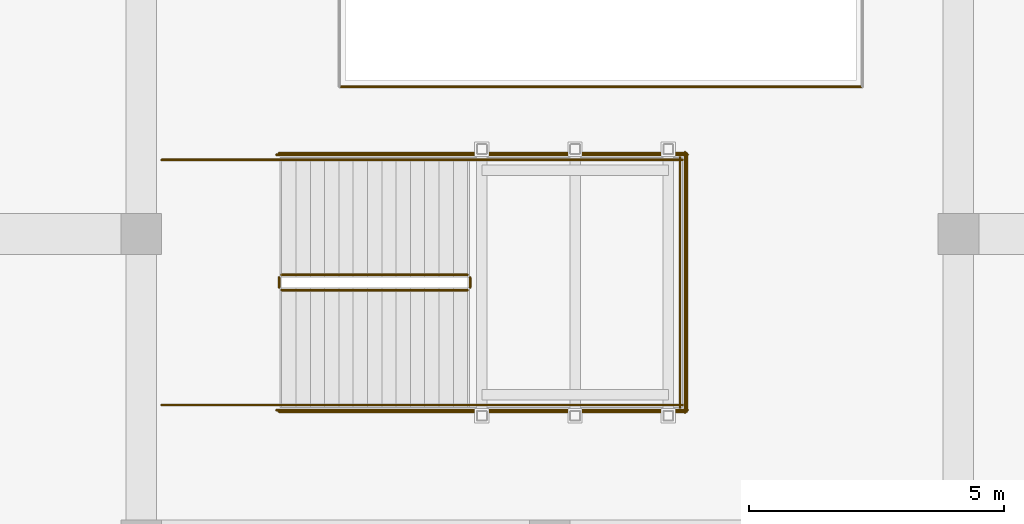
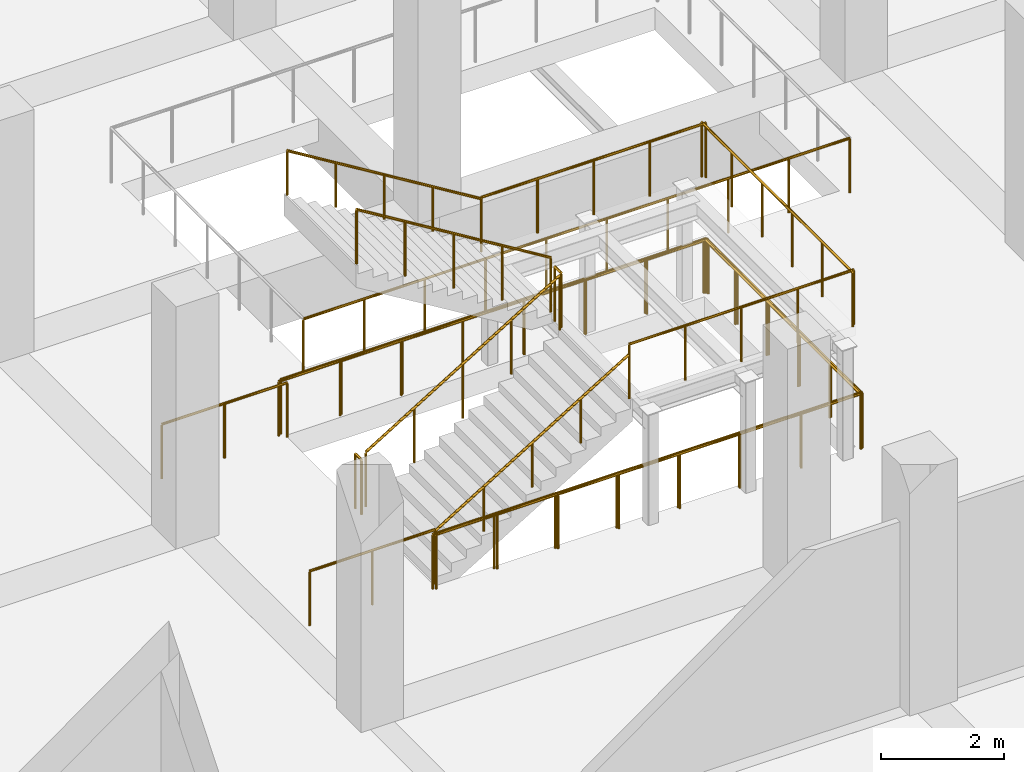
# One storey, part 29 of 36: 18 railings.
"""IFC4 building model written with IfcOpenShell, lengths in metres."""

from ifc_helpers import new_model, si_unit, direction, frame, origin, origin_2d, place, context, subcontext, project, spatial, circle, extrude, material, type_object, element, save


model = new_model("IFC4")

# Units and contexts
model_context = context("Model", 3, precision=1e-05, world=origin(), true_north=direction((0.0, 1.0)))
body_context = subcontext(model_context, "Body", "Model", "MODEL_VIEW")
ifc_project = project(units=[si_unit("LENGTHUNIT", "METRE"), si_unit("AREAUNIT", "SQUARE_METRE"), si_unit("VOLUMEUNIT", "CUBIC_METRE"), si_unit("PLANEANGLEUNIT", "RADIAN"), si_unit("MASSUNIT", "GRAM", prefix="KILO")], contexts=[model_context])

# Site, building, storey
site_placement = place(None, origin())
site = spatial("IfcSite", under=ifc_project, at=site_placement, CompositionType="ELEMENT")
building_placement = place(site_placement, origin())
building = spatial("IfcBuilding", under=site, at=building_placement, Name="Verrall Gate Interchange", CompositionType="ELEMENT")
storey_placement = place(building_placement, frame((0.0, 0.0, -4.800048828125)))
storey = spatial("IfcBuildingStorey", under=building, at=storey_placement, Name="B1", CompositionType="ELEMENT", Elevation=-4.800048828125)

# Railings
ifc_material_1 = material(Name="Brushed Stainless-Steel Guardrail and Handrail System", Category="steel")
railing_type_1 = type_object("IfcRailingType", Name="GR-02 Interior Atrium and Stair Guardrail 1100", PredefinedType="GUARDRAIL", material=ifc_material_1)
railing_1_placement = place(storey_placement, frame((54.75, 20.89990234375, 0.17138671875)))
element("IfcRailing", 1, at=railing_1_placement, inside=storey, type_object=railing_type_1, Name="B1 ST-10 stair guard 1", PredefinedType="GUARDRAIL", context=body_context, shape_type="SweptSolid", body=[
    extrude(circle(Radius=0.02392578125, at=origin_2d()), frame((0.0, 0.0, 1.076171875), z_axis=(0.852824790078, 0.0, 0.522197163366), x_axis=(0.0, 1.0, 0.0)), (0.0, 0.0, 1.0), 4.26806640625),
    extrude(circle(Radius=0.02099609375, at=origin_2d()), origin(), (0.0, 0.0, 1.0), 1.052001953125),
    extrude(circle(Radius=0.02099609375, at=origin_2d()), frame((0.909912109375, 0.0, 0.55712890625)), (0.0, 0.0, 1.0), 1.052001953125),
    extrude(circle(Radius=0.02099609375, at=origin_2d()), frame((1.81982421875, 0.0, 1.1142578125)), (0.0, 0.0, 1.0), 1.052001953125),
    extrude(circle(Radius=0.02099609375, at=origin_2d()), frame((2.72998046875, 0.0, 1.671630859375)), (0.0, 0.0, 1.0), 1.052001953125),
    extrude(circle(Radius=0.02099609375, at=origin_2d()), frame((3.639892578125, 0.0, 2.228759765625)), (0.0, 0.0, 1.0), 1.052001953125),
])
railing_2_placement = place(storey_placement, frame((58.43994140625, 20.949951171875, 2.400146484375)))
element("IfcRailing", 2, at=railing_2_placement, inside=storey, type_object=railing_type_1, Name="B1 ST-10 stair guard 2", PredefinedType="GUARDRAIL", context=body_context, shape_type="SweptSolid", body=[
    extrude(circle(Radius=0.02392578125, at=origin_2d()), frame((0.0, 0.0, 1.076171875), z_axis=(0.0, 1.0, 0.0), x_axis=(-1.0, 0.0, 0.0)), (0.0, 0.0, 1.0), 0.199951171875),
    extrude(circle(Radius=0.02099609375, at=origin_2d()), origin(), (0.0, 0.0, 1.0), 1.052001953125),
    extrude(circle(Radius=0.02099609375, at=origin_2d()), frame((0.0, 0.199951171875, 0.0)), (0.0, 0.0, 1.0), 1.052001953125),
])
for number, where, name in (
    (3, (58.389892578125, 18.64990234375, 2.400146484375), "B1 ST-10 stair guard 3"),
    (4, (58.389892578125, 23.449951171875, 2.400146484375), "B1 ST-10 stair guard 4"),
):
    element("IfcRailing", number, at=place(storey_placement, frame(where)), inside=storey, type_object=railing_type_1, Name=name, PredefinedType="GUARDRAIL", context=body_context, shape_type="SweptSolid", body=[
        extrude(circle(Radius=0.02392578125, at=origin_2d()), frame((0.0, 0.0, 1.076171875), z_axis=(1.0, 0.0, 0.0), x_axis=(0.0, 1.0, 0.0)), (0.0, 0.0, 1.0), 4.210205078125),
        extrude(circle(Radius=0.02099609375, at=origin_2d()), origin(), (0.0, 0.0, 1.0), 1.052001953125),
        extrude(circle(Radius=0.02099609375, at=origin_2d()), frame((1.052490234375, 0.0, 0.0)), (0.0, 0.0, 1.0), 1.052001953125),
        extrude(circle(Radius=0.02099609375, at=origin_2d()), frame((2.10498046875, 0.0, 0.0)), (0.0, 0.0, 1.0), 1.052001953125),
        extrude(circle(Radius=0.02099609375, at=origin_2d()), frame((3.15771484375, 0.0, 0.0)), (0.0, 0.0, 1.0), 1.052001953125),
        extrude(circle(Radius=0.02099609375, at=origin_2d()), frame((4.210205078125, 0.0, 0.0)), (0.0, 0.0, 1.0), 1.052001953125),
    ])
railing_3_placement = place(storey_placement, frame((62.550048828125, 18.60009765625, 2.400146484375)))
element("IfcRailing", 5, at=railing_3_placement, inside=storey, type_object=railing_type_1, Name="B1 ST-10 stair guard 5", PredefinedType="GUARDRAIL", context=body_context, shape_type="SweptSolid", body=[
    extrude(circle(Radius=0.02392578125, at=origin_2d()), frame((0.0, 0.0, 1.076171875), z_axis=(0.0, 1.0, 0.0), x_axis=(-1.0, 0.0, 0.0)), (0.0, 0.0, 1.0), 4.89990234375),
    extrude(circle(Radius=0.02099609375, at=origin_2d()), origin(), (0.0, 0.0, 1.0), 1.052001953125),
    extrude(circle(Radius=0.02099609375, at=origin_2d()), frame((0.0, 0.97998046875, 0.0)), (0.0, 0.0, 1.0), 1.052001953125),
    extrude(circle(Radius=0.02099609375, at=origin_2d()), frame((0.0, 1.9599609375, 0.0)), (0.0, 0.0, 1.0), 1.052001953125),
    extrude(circle(Radius=0.02099609375, at=origin_2d()), frame((0.0, 2.93994140625, 0.0)), (0.0, 0.0, 1.0), 1.052001953125),
    extrude(circle(Radius=0.02099609375, at=origin_2d()), frame((0.0, 3.919921875, 0.0)), (0.0, 0.0, 1.0), 1.052001953125),
    extrude(circle(Radius=0.02099609375, at=origin_2d()), frame((0.0, 4.89990234375, 0.0)), (0.0, 0.0, 1.0), 1.052001953125),
])
railing_4_placement = place(storey_placement, frame((58.389892578125, 21.199951171875, 2.571533203125)))
element("IfcRailing", 6, at=railing_4_placement, inside=storey, type_object=railing_type_1, Name="B1 ST-10 stair guard 6", PredefinedType="GUARDRAIL", context=body_context, shape_type="SweptSolid", body=[
    extrude(circle(Radius=0.02392578125, at=origin_2d()), frame((0.0, 0.0, 1.076171875), z_axis=(-0.852850264322, 0.0, 0.5221555579), x_axis=(0.0, -1.0, 0.0)), (0.0, 0.0, 1.0), 4.267822265625),
    extrude(circle(Radius=0.02099609375, at=origin_2d()), origin(), (0.0, 0.0, 1.0), 1.052001953125),
    extrude(circle(Radius=0.02099609375, at=origin_2d()), frame((-0.909912109375, 0.0, 0.55712890625)), (0.0, 0.0, 1.0), 1.052001953125),
    extrude(circle(Radius=0.02099609375, at=origin_2d()), frame((-1.81982421875, 0.0, 1.1142578125)), (0.0, 0.0, 1.0), 1.052001953125),
    extrude(circle(Radius=0.02099609375, at=origin_2d()), frame((-2.72998046875, 0.0, 1.67138671875)), (0.0, 0.0, 1.0), 1.052001953125),
    extrude(circle(Radius=0.02099609375, at=origin_2d()), frame((-3.639892578125, 0.0, 2.228515625)), (0.0, 0.0, 1.0), 1.052001953125),
])
railing_5_placement = place(storey_placement, frame((54.699951171875, 20.949951171875, 0.0)))
element("IfcRailing", 7, at=railing_5_placement, inside=storey, type_object=railing_type_1, Name="B1 ST-10 stair guard 7", PredefinedType="GUARDRAIL", context=body_context, shape_type="SweptSolid", body=[
    extrude(circle(Radius=0.02392578125, at=origin_2d()), frame((0.0, 0.0, 1.076171875), z_axis=(0.0, 1.0, 0.0), x_axis=(-1.0, 0.0, 0.0)), (0.0, 0.0, 1.0), 0.199951171875),
    extrude(circle(Radius=0.02099609375, at=origin_2d()), origin(), (0.0, 0.0, 1.0), 1.052001953125),
    extrude(circle(Radius=0.02099609375, at=origin_2d()), frame((0.0, 0.199951171875, 0.0)), (0.0, 0.0, 1.0), 1.052001953125),
])
for number, where, name in (
    (8, (52.39990234375, 18.64990234375, 0.0), "B1 ST-10 stair guard 8"),
    (9, (52.39990234375, 23.449951171875, 0.0), "B1 ST-10 stair guard 9"),
):
    element("IfcRailing", number, at=place(storey_placement, frame(where)), inside=storey, type_object=railing_type_1, Name=name, PredefinedType="GUARDRAIL", context=body_context, shape_type="SweptSolid", body=[
        extrude(circle(Radius=0.02392578125, at=origin_2d()), frame((0.0, 0.0, 1.076171875), z_axis=(1.0, 0.0, 0.0), x_axis=(0.0, 1.0, 0.0)), (0.0, 0.0, 1.0), 2.35009765625),
        extrude(circle(Radius=0.02099609375, at=origin_2d()), origin(), (0.0, 0.0, 1.0), 1.052001953125),
        extrude(circle(Radius=0.02099609375, at=origin_2d()), frame((1.175048828125, 0.0, 0.0)), (0.0, 0.0, 1.0), 1.052001953125),
        extrude(circle(Radius=0.02099609375, at=origin_2d()), frame((2.35009765625, 0.0, 0.0)), (0.0, 0.0, 1.0), 1.052001953125),
    ])
for number, where, name in (
    (10, (54.64990234375, 18.550048828125, 0.0), "B1 ST-10 stair guard 10"),
    (11, (54.64990234375, 23.550048828125, 0.0), "B1 ST-10 stair guard 11"),
):
    element("IfcRailing", number, at=place(storey_placement, frame(where)), inside=storey, type_object=railing_type_1, Name=name, PredefinedType="GUARDRAIL", context=body_context, shape_type="SweptSolid", body=[
        extrude(circle(Radius=0.02392578125, at=origin_2d()), frame((0.0, 0.0, 1.076171875), z_axis=(1.0, 0.0, 0.0), x_axis=(0.0, 1.0, 0.0)), (0.0, 0.0, 1.0), 8.050048828125),
        extrude(circle(Radius=0.02099609375, at=origin_2d()), origin(), (0.0, 0.0, 1.0), 1.052001953125),
        extrude(circle(Radius=0.02099609375, at=origin_2d()), frame((1.14990234375, 0.0, 0.0)), (0.0, 0.0, 1.0), 1.052001953125),
        extrude(circle(Radius=0.02099609375, at=origin_2d()), frame((2.300048828125, 0.0, 0.0)), (0.0, 0.0, 1.0), 1.052001953125),
        extrude(circle(Radius=0.02099609375, at=origin_2d()), frame((3.449951171875, 0.0, 0.0)), (0.0, 0.0, 1.0), 1.052001953125),
        extrude(circle(Radius=0.02099609375, at=origin_2d()), frame((4.60009765625, 0.0, 0.0)), (0.0, 0.0, 1.0), 1.052001953125),
        extrude(circle(Radius=0.02099609375, at=origin_2d()), frame((5.75, 0.0, 0.0)), (0.0, 0.0, 1.0), 1.052001953125),
        extrude(circle(Radius=0.02099609375, at=origin_2d()), frame((6.900146484375, 0.0, 0.0)), (0.0, 0.0, 1.0), 1.052001953125),
        extrude(circle(Radius=0.02099609375, at=origin_2d()), frame((8.050048828125, 0.0, 0.0)), (0.0, 0.0, 1.0), 1.052001953125),
    ])
railing_6_placement = place(storey_placement, frame((62.64990234375, 18.5, 0.0)))
element("IfcRailing", 12, at=railing_6_placement, inside=storey, type_object=railing_type_1, Name="B1 ST-10 stair guard 12", PredefinedType="GUARDRAIL", context=body_context, shape_type="SweptSolid", body=[
    extrude(circle(Radius=0.02392578125, at=origin_2d()), frame((0.0, 0.0, 1.076171875), z_axis=(0.0, 1.0, 0.0), x_axis=(-1.0, 0.0, 0.0)), (0.0, 0.0, 1.0), 5.10009765625),
    extrude(circle(Radius=0.02099609375, at=origin_2d()), origin(), (0.0, 0.0, 1.0), 1.052001953125),
    extrude(circle(Radius=0.02099609375, at=origin_2d()), frame((0.0, 1.02001953125, 0.0)), (0.0, 0.0, 1.0), 1.052001953125),
    extrude(circle(Radius=0.02099609375, at=origin_2d()), frame((0.0, 2.0400390625, 0.0)), (0.0, 0.0, 1.0), 1.052001953125),
    extrude(circle(Radius=0.02099609375, at=origin_2d()), frame((0.0, 3.06005859375, 0.0)), (0.0, 0.0, 1.0), 1.052001953125),
    extrude(circle(Radius=0.02099609375, at=origin_2d()), frame((0.0, 4.080078125, 0.0)), (0.0, 0.0, 1.0), 1.052001953125),
    extrude(circle(Radius=0.02099609375, at=origin_2d()), frame((0.0, 5.10009765625, 0.0)), (0.0, 0.0, 1.0), 1.052001953125),
])
railing_7_placement = place(storey_placement, frame((54.699951171875, 18.52001953125, 0.0)))
element("IfcRailing", 13, at=railing_7_placement, inside=storey, type_object=railing_type_1, Name="B1 ST-10 Well Edge Guardrail 1", PredefinedType="GUARDRAIL", context=body_context, shape_type="SweptSolid", body=[
    extrude(circle(Radius=0.02392578125, at=origin_2d()), frame((0.0, 0.0, 1.076171875), z_axis=(1.0, 0.0, 0.0), x_axis=(0.0, 1.0, 0.0)), (0.0, 0.0, 1.0), 7.97998046875),
    extrude(circle(Radius=0.02099609375, at=origin_2d()), origin(), (0.0, 0.0, 1.0), 1.052001953125),
    extrude(circle(Radius=0.02099609375, at=origin_2d()), frame((1.139892578125, 0.0, 0.0)), (0.0, 0.0, 1.0), 1.052001953125),
    extrude(circle(Radius=0.02099609375, at=origin_2d()), frame((2.280029296875, 0.0, 0.0)), (0.0, 0.0, 1.0), 1.052001953125),
    extrude(circle(Radius=0.02099609375, at=origin_2d()), frame((3.419921875, 0.0, 0.0)), (0.0, 0.0, 1.0), 1.052001953125),
    extrude(circle(Radius=0.02099609375, at=origin_2d()), frame((4.56005859375, 0.0, 0.0)), (0.0, 0.0, 1.0), 1.052001953125),
    extrude(circle(Radius=0.02099609375, at=origin_2d()), frame((5.699951171875, 0.0, 0.0)), (0.0, 0.0, 1.0), 1.052001953125),
    extrude(circle(Radius=0.02099609375, at=origin_2d()), frame((6.840087890625, 0.0, 0.0)), (0.0, 0.0, 1.0), 1.052001953125),
    extrude(circle(Radius=0.02099609375, at=origin_2d()), frame((7.97998046875, 0.0, 0.0)), (0.0, 0.0, 1.0), 1.052001953125),
])
railing_8_placement = place(storey_placement, frame((62.679931640625, 18.52001953125, 0.0)))
element("IfcRailing", 14, at=railing_8_placement, inside=storey, type_object=railing_type_1, Name="B1 ST-10 Well Edge Guardrail 2", PredefinedType="GUARDRAIL", context=body_context, shape_type="SweptSolid", body=[
    extrude(circle(Radius=0.02392578125, at=origin_2d()), frame((0.0, 0.0, 1.076171875), z_axis=(0.0, 1.0, 0.0), x_axis=(-1.0, 0.0, 0.0)), (0.0, 0.0, 1.0), 5.06005859375),
    extrude(circle(Radius=0.02099609375, at=origin_2d()), origin(), (0.0, 0.0, 1.0), 1.052001953125),
    extrude(circle(Radius=0.02099609375, at=origin_2d()), frame((0.0, 1.011962890625, 0.0)), (0.0, 0.0, 1.0), 1.052001953125),
    extrude(circle(Radius=0.02099609375, at=origin_2d()), frame((0.0, 2.02392578125, 0.0)), (0.0, 0.0, 1.0), 1.052001953125),
    extrude(circle(Radius=0.02099609375, at=origin_2d()), frame((0.0, 3.0361328125, 0.0)), (0.0, 0.0, 1.0), 1.052001953125),
    extrude(circle(Radius=0.02099609375, at=origin_2d()), frame((0.0, 4.048095703125, 0.0)), (0.0, 0.0, 1.0), 1.052001953125),
    extrude(circle(Radius=0.02099609375, at=origin_2d()), frame((0.0, 5.06005859375, 0.0)), (0.0, 0.0, 1.0), 1.052001953125),
])
railing_9_placement = place(storey_placement, frame((62.679931640625, 23.580078125, 0.0)))
element("IfcRailing", 15, at=railing_9_placement, inside=storey, type_object=railing_type_1, Name="B1 ST-10 Well Edge Guardrail 3", PredefinedType="GUARDRAIL", context=body_context, shape_type="SweptSolid", body=[
    extrude(circle(Radius=0.02392578125, at=origin_2d()), frame((0.0, 0.0, 1.076171875), z_axis=(-1.0, 0.0, 0.0), x_axis=(0.0, -1.0, 0.0)), (0.0, 0.0, 1.0), 7.97998046875),
    extrude(circle(Radius=0.02099609375, at=origin_2d()), origin(), (0.0, 0.0, 1.0), 1.052001953125),
    extrude(circle(Radius=0.02099609375, at=origin_2d()), frame((-1.139892578125, 0.0, 0.0)), (0.0, 0.0, 1.0), 1.052001953125),
    extrude(circle(Radius=0.02099609375, at=origin_2d()), frame((-2.280029296875, 0.0, 0.0)), (0.0, 0.0, 1.0), 1.052001953125),
    extrude(circle(Radius=0.02099609375, at=origin_2d()), frame((-3.419921875, 0.0, 0.0)), (0.0, 0.0, 1.0), 1.052001953125),
    extrude(circle(Radius=0.02099609375, at=origin_2d()), frame((-4.56005859375, 0.0, 0.0)), (0.0, 0.0, 1.0), 1.052001953125),
    extrude(circle(Radius=0.02099609375, at=origin_2d()), frame((-5.699951171875, 0.0, 0.0)), (0.0, 0.0, 1.0), 1.052001953125),
    extrude(circle(Radius=0.02099609375, at=origin_2d()), frame((-6.840087890625, 0.0, 0.0)), (0.0, 0.0, 1.0), 1.052001953125),
    extrude(circle(Radius=0.02099609375, at=origin_2d()), frame((-7.97998046875, 0.0, 0.0)), (0.0, 0.0, 1.0), 1.052001953125),
])
railing_10_placement = place(storey_placement, frame((55.8798828125, 24.8798828125, 0.0)))
element("IfcRailing", 16, at=railing_10_placement, inside=storey, type_object=railing_type_1, Name="B1 ESC-W Perimeter Guardrail 17", PredefinedType="GUARDRAIL", context=body_context, shape_type="SweptSolid", body=[
    extrude(circle(Radius=0.02392578125, at=origin_2d()), frame((0.0, 0.0, 1.076171875), z_axis=(1.0, 0.0, 0.0), x_axis=(0.0, 1.0, 0.0)), (0.0, 0.0, 1.0), 10.240234375),
    extrude(circle(Radius=0.02099609375, at=origin_2d()), origin(), (0.0, 0.0, 1.0), 1.052001953125),
    extrude(circle(Radius=0.02099609375, at=origin_2d()), frame((1.1376953125, 0.0, 0.0)), (0.0, 0.0, 1.0), 1.052001953125),
    extrude(circle(Radius=0.02099609375, at=origin_2d()), frame((2.275634765625, 0.0, 0.0)), (0.0, 0.0, 1.0), 1.052001953125),
    extrude(circle(Radius=0.02099609375, at=origin_2d()), frame((3.413330078125, 0.0, 0.0)), (0.0, 0.0, 1.0), 1.052001953125),
    extrude(circle(Radius=0.02099609375, at=origin_2d()), frame((4.55126953125, 0.0, 0.0)), (0.0, 0.0, 1.0), 1.052001953125),
    extrude(circle(Radius=0.02099609375, at=origin_2d()), frame((5.68896484375, 0.0, 0.0)), (0.0, 0.0, 1.0), 1.052001953125),
    extrude(circle(Radius=0.02099609375, at=origin_2d()), frame((6.826904296875, 0.0, 0.0)), (0.0, 0.0, 1.0), 1.052001953125),
    extrude(circle(Radius=0.02099609375, at=origin_2d()), frame((7.964599609375, 0.0, 0.0)), (0.0, 0.0, 1.0), 1.052001953125),
    extrude(circle(Radius=0.02099609375, at=origin_2d()), frame((9.1025390625, 0.0, 0.0)), (0.0, 0.0, 1.0), 1.052001953125),
    extrude(circle(Radius=0.02099609375, at=origin_2d()), frame((10.240234375, 0.0, 0.0)), (0.0, 0.0, 1.0), 1.052001953125),
])
ifc_material_2 = material(Name="Brushed Stainless-Steel Guardrail and Handrail System", Category="steel")
railing_type_2 = type_object("IfcRailingType", Name="HR-01 Stair and Ramp Pitch-Line Handrail 920", PredefinedType="HANDRAIL", material=ifc_material_2)
railing_11_placement = place(storey_placement, frame((54.75, 18.64990234375, 0.17138671875)))
element("IfcRailing", 17, at=railing_11_placement, inside=storey, type_object=railing_type_2, Name="B1 ST-10 stair handrail 1", PredefinedType="HANDRAIL", context=body_context, shape_type="SweptSolid", body=[
    extrude(circle(Radius=0.02392578125, at=origin_2d()), frame((0.0, 0.0, 0.8759765625), z_axis=(0.852824790078, 0.0, 0.522197163366), x_axis=(0.0, 1.0, 0.0)), (0.0, 0.0, 1.0), 4.26806640625),
    extrude(circle(Radius=0.02099609375, at=origin_2d()), origin(), (0.0, 0.0, 1.0), 0.851806640625),
    extrude(circle(Radius=0.02099609375, at=origin_2d()), frame((0.909912109375, 0.0, 0.55712890625)), (0.0, 0.0, 1.0), 0.851806640625),
    extrude(circle(Radius=0.02099609375, at=origin_2d()), frame((1.81982421875, 0.0, 1.1142578125)), (0.0, 0.0, 1.0), 0.851806640625),
    extrude(circle(Radius=0.02099609375, at=origin_2d()), frame((2.72998046875, 0.0, 1.671630859375)), (0.0, 0.0, 1.0), 0.851806640625),
    extrude(circle(Radius=0.02099609375, at=origin_2d()), frame((3.639892578125, 0.0, 2.228759765625)), (0.0, 0.0, 1.0), 0.851806640625),
])
railing_12_placement = place(storey_placement, frame((58.389892578125, 23.449951171875, 2.571533203125)))
element("IfcRailing", 18, at=railing_12_placement, inside=storey, type_object=railing_type_2, Name="B1 ST-10 stair handrail 2", PredefinedType="HANDRAIL", context=body_context, shape_type="SweptSolid", body=[
    extrude(circle(Radius=0.02392578125, at=origin_2d()), frame((0.0, 0.0, 0.8759765625), z_axis=(-0.852850264322, 0.0, 0.5221555579), x_axis=(0.0, -1.0, 0.0)), (0.0, 0.0, 1.0), 4.267822265625),
    extrude(circle(Radius=0.02099609375, at=origin_2d()), origin(), (0.0, 0.0, 1.0), 0.851806640625),
    extrude(circle(Radius=0.02099609375, at=origin_2d()), frame((-0.909912109375, 0.0, 0.55712890625)), (0.0, 0.0, 1.0), 0.851806640625),
    extrude(circle(Radius=0.02099609375, at=origin_2d()), frame((-1.81982421875, 0.0, 1.1142578125)), (0.0, 0.0, 1.0), 0.851806640625),
    extrude(circle(Radius=0.02099609375, at=origin_2d()), frame((-2.72998046875, 0.0, 1.67138671875)), (0.0, 0.0, 1.0), 0.851806640625),
    extrude(circle(Radius=0.02099609375, at=origin_2d()), frame((-3.639892578125, 0.0, 2.228515625)), (0.0, 0.0, 1.0), 0.851806640625),
])

save(model, "model.ifc")
